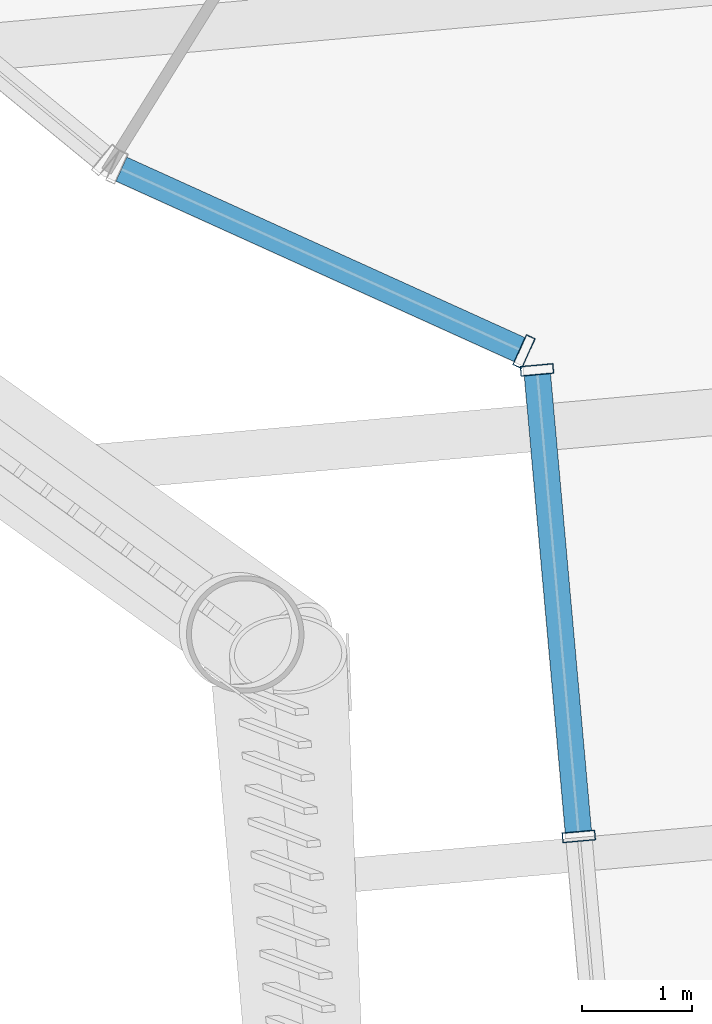
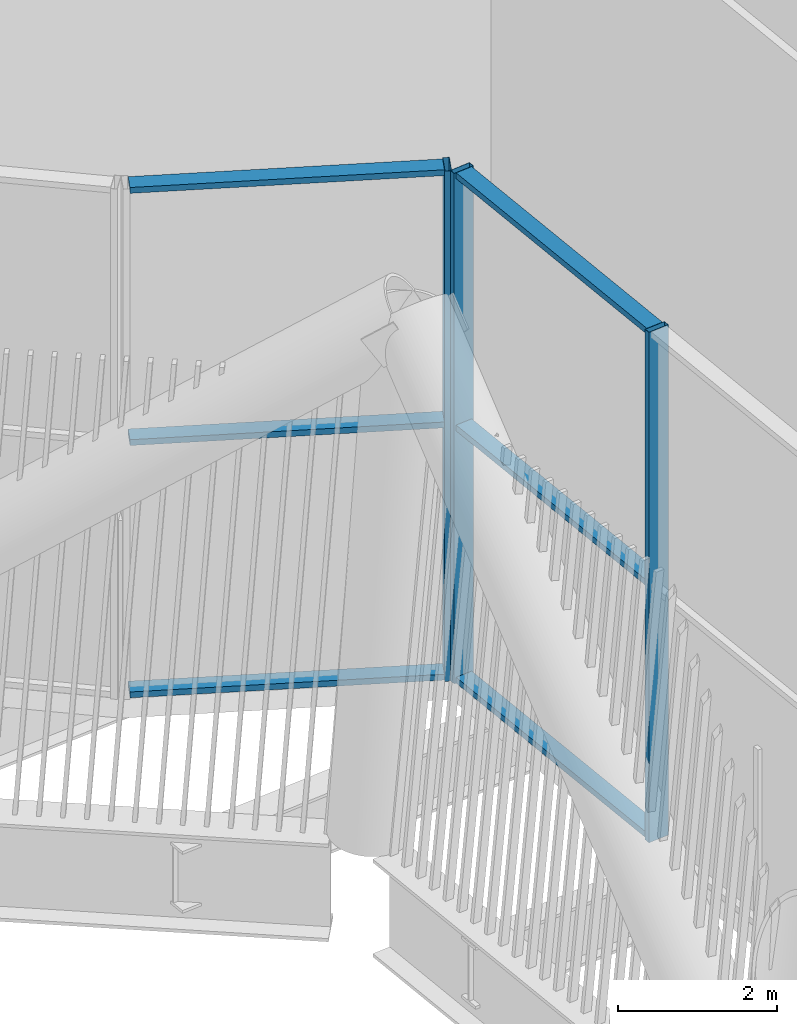
# One storey, part 6 of 55: 9 members, 2 elements without a shape of their own.
"""IFC4 building model written with IfcOpenShell, lengths in metres."""

from ifc_helpers import new_model, si_unit, direction, frame, origin, origin_2d, place, context, subcontext, project, spatial, hollow_rectangle, extrude, material, layer, layer_set, material_profile, profile_set, type_object, element, aggregate, save


model = new_model("IFC4")

# Units and contexts
model_context = context("Model", 3, precision=1e-05, world=origin(), true_north=direction((0.0, 1.0)))
body_context = subcontext(model_context, "Body", "Model", "MODEL_VIEW")
ifc_project = project(units=[si_unit("LENGTHUNIT", "METRE"), si_unit("AREAUNIT", "SQUARE_METRE"), si_unit("VOLUMEUNIT", "CUBIC_METRE"), si_unit("PLANEANGLEUNIT", "RADIAN"), si_unit("MASSUNIT", "GRAM", prefix="KILO")], contexts=[model_context])

# Site, building, storey
site_placement = place(None, origin())
site = spatial("IfcSite", under=ifc_project, at=site_placement, CompositionType="ELEMENT")
building_placement = place(site_placement, origin())
building = spatial("IfcBuilding", under=site, at=building_placement, Name="Tarsis Ring Headquarters", CompositionType="ELEMENT")
storey_placement = place(building_placement, frame((0.0, 0.0, 247.199951171875)))
storey = spatial("IfcBuildingStorey", under=building, at=storey_placement, Name="L58", CompositionType="ELEMENT", Elevation=247.199951171875)

# Curtain wall, member
ifc_material_1 = material(Name="Aluminium curtain wall", Category="aluminium")
ifc_layer = layer(ifc_material_1, 0.300048828125)
ifc_layer_set = layer_set([ifc_layer], Name="Curtain wall upper sky lobby")
curtain_wall_type = type_object("IfcCurtainWallType", Name="Curtain wall upper sky lobby", PredefinedType="NOTDEFINED", material=ifc_layer_set)
curtain_wall_1_placement = place(storey_placement, origin())
curtain_wall_1 = element("IfcCurtainWall", 1, at=curtain_wall_1_placement, inside=storey, type_object=curtain_wall_type, Name="Curtain wall L58-05", PredefinedType="NOTDEFINED")
ifc_material_2 = material(Name="Aluminium mullion", Category="aluminium")
ifc_material_profile_1 = material_profile(ifc_material_2, hollow_rectangle(XDim=0.300048828125, YDim=0.090087890625, WallThickness=0.0048828125, at=origin_2d()), Name="RHS 300x90x5")
ifc_profile_set_1 = profile_set([ifc_material_profile_1], Name="Aluminium mullion")
member_type_1 = type_object("IfcMemberType", Name="Curtain wall mullion upper sky lobby RHS 300x90x5", PredefinedType="MULLION", material=ifc_profile_set_1)
member_1_placement = place(storey_placement, frame((-9.904296875, -23.67529296875, 0.0), z_axis=(0.0, 0.0, 1.0), x_axis=(0.412786775185, 0.910827688552, 0.0)))
member_1 = element("IfcMember", 2, at=member_1_placement, type_object=member_type_1, Name="CW-U mullion 2", PredefinedType="MULLION", context=body_context, shape_type="SweptSolid", body=[
    extrude(hollow_rectangle(XDim=0.300048828125, YDim=0.090087890625, WallThickness=0.0048828125, at=origin_2d()), origin(), (0.0, 0.0, 1.0), 7.840087890625),
])

# Curtain wall, members
curtain_wall_2_placement = place(storey_placement, origin())
curtain_wall_2 = element("IfcCurtainWall", 3, at=curtain_wall_2_placement, inside=storey, type_object=curtain_wall_type, Name="Curtain wall L58-06", PredefinedType="NOTDEFINED")
member_2_placement = place(storey_placement, frame((-9.786376953125, -23.841552734375, 0.0), z_axis=(0.0, 0.0, 1.0), x_axis=(0.996009969797, 0.089242030819, 0.0)))
member_2 = element("IfcMember", 4, at=member_2_placement, type_object=member_type_1, Name="CW-U mullion 1", PredefinedType="MULLION", context=body_context, shape_type="SweptSolid", body=[
    extrude(hollow_rectangle(XDim=0.300048828125, YDim=0.090087890625, WallThickness=0.0048828125, at=origin_2d()), origin(), (0.0, 0.0, 1.0), 7.840087890625),
])
member_3_placement = place(storey_placement, frame((-9.406005859375, -28.0869140625, 0.0), z_axis=(0.0, 0.0, 1.0), x_axis=(0.996009969797, 0.089242030819, 0.0)))
member_3 = element("IfcMember", 5, at=member_3_placement, type_object=member_type_1, Name="CW-U mullion 2", PredefinedType="MULLION", context=body_context, shape_type="SweptSolid", body=[
    extrude(hollow_rectangle(XDim=0.300048828125, YDim=0.090087890625, WallThickness=0.0048828125, at=origin_2d()), origin(), (0.0, 0.0, 1.0), 7.840087890625),
])

# Member
ifc_material_3 = material(Name="Aluminium transom", Category="aluminium")
ifc_material_profile_2 = material_profile(ifc_material_3, hollow_rectangle(XDim=0.239990234375, YDim=0.090087890625, WallThickness=0.0048828125, at=origin_2d()), Name="RHS 240x90x5")
ifc_profile_set_2 = profile_set([ifc_material_profile_2], Name="Aluminium transom")
member_type_2 = type_object("IfcMemberType", Name="Curtain wall transom upper sky lobby RHS 240x90x5", PredefinedType="USERDEFINED", material=ifc_profile_set_2)
member_4_placement = place(storey_placement, frame((-13.568115234375, -22.014892578125, 0.045166015625), z_axis=(0.910828366356, -0.412785279584, 0.0), x_axis=(0.412785279584, 0.910828366356, 0.0)))
member_4 = element("IfcMember", 6, at=member_4_placement, type_object=member_type_2, Name="CW-U transom 1.1", ObjectType="TRANSOM", PredefinedType="USERDEFINED", context=body_context, shape_type="SweptSolid", body=[
    extrude(hollow_rectangle(XDim=0.239990234375, YDim=0.090087890625, WallThickness=0.0048828125, at=origin_2d()), origin(), (0.0, 0.0, 1.0), 3.9775390625),
])

member_5_placement = place(storey_placement, frame((-13.568115234375, -22.014892578125, 3.920166015625), z_axis=(0.910828366356, -0.412785279584, 0.0), x_axis=(0.412785279584, 0.910828366356, 0.0)))
member_5 = element("IfcMember", 7, at=member_5_placement, type_object=member_type_2, Name="CW-U transom 1.2", ObjectType="TRANSOM", PredefinedType="USERDEFINED", context=body_context, shape_type="SweptSolid", body=[
    extrude(hollow_rectangle(XDim=0.239990234375, YDim=0.090087890625, WallThickness=0.0048828125, at=origin_2d()), origin(), (0.0, 0.0, 1.0), 3.9775390625),
])

member_6_placement = place(storey_placement, frame((-13.568115234375, -22.014892578125, 7.795166015625), z_axis=(0.910828366356, -0.412785279584, 0.0), x_axis=(0.412785279584, 0.910828366356, 0.0)))
member_6 = element("IfcMember", 8, at=member_6_placement, type_object=member_type_2, Name="CW-U transom 1.3", ObjectType="TRANSOM", PredefinedType="USERDEFINED", context=body_context, shape_type="SweptSolid", body=[
    extrude(hollow_rectangle(XDim=0.239990234375, YDim=0.090087890625, WallThickness=0.0048828125, at=origin_2d()), origin(), (0.0, 0.0, 1.0), 3.9775390625),
])

aggregate(curtain_wall_1, [member_1, member_4, member_5, member_6])

member_7_placement = place(storey_placement, frame((-9.782470703125, -23.88623046875, 0.045166015625), z_axis=(0.089290598722, -0.996005616942, 0.0), x_axis=(0.996005616942, 0.089290598722, 0.0)))
member_7 = element("IfcMember", 9, at=member_7_placement, type_object=member_type_2, Name="CW-U transom 1.1", ObjectType="TRANSOM", PredefinedType="USERDEFINED", context=body_context, shape_type="SweptSolid", body=[
    extrude(hollow_rectangle(XDim=0.239990234375, YDim=0.090087890625, WallThickness=0.0048828125, at=origin_2d()), origin(), (0.0, 0.0, 1.0), 4.17236328125),
])

member_8_placement = place(storey_placement, frame((-9.782470703125, -23.88623046875, 3.920166015625), z_axis=(0.089290598722, -0.996005616942, 0.0), x_axis=(0.996005616942, 0.089290598722, 0.0)))
member_8 = element("IfcMember", 10, at=member_8_placement, type_object=member_type_2, Name="CW-U transom 1.2", ObjectType="TRANSOM", PredefinedType="USERDEFINED", context=body_context, shape_type="SweptSolid", body=[
    extrude(hollow_rectangle(XDim=0.239990234375, YDim=0.090087890625, WallThickness=0.0048828125, at=origin_2d()), origin(), (0.0, 0.0, 1.0), 4.17236328125),
])

member_9_placement = place(storey_placement, frame((-9.782470703125, -23.88623046875, 7.795166015625), z_axis=(0.089290598722, -0.996005616942, 0.0), x_axis=(0.996005616942, 0.089290598722, 0.0)))
member_9 = element("IfcMember", 11, at=member_9_placement, type_object=member_type_2, Name="CW-U transom 1.3", ObjectType="TRANSOM", PredefinedType="USERDEFINED", context=body_context, shape_type="SweptSolid", body=[
    extrude(hollow_rectangle(XDim=0.239990234375, YDim=0.090087890625, WallThickness=0.0048828125, at=origin_2d()), origin(), (0.0, 0.0, 1.0), 4.17236328125),
])

aggregate(curtain_wall_2, [member_2, member_3, member_7, member_8, member_9])

save(model, "model.ifc")
